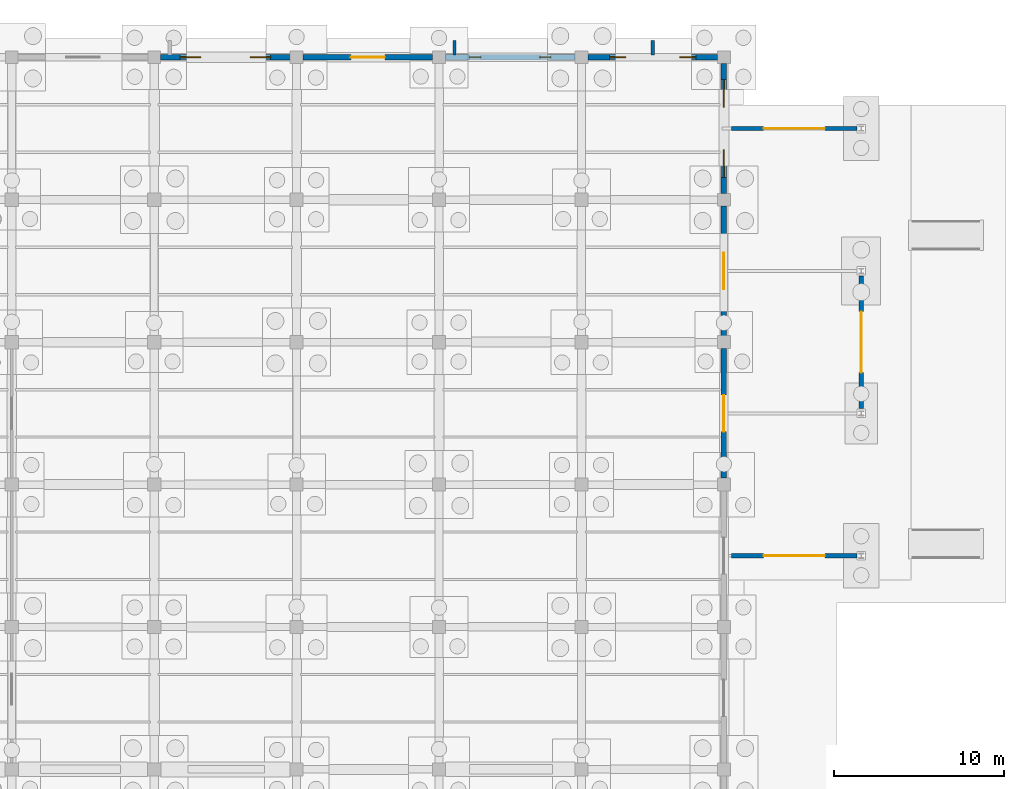
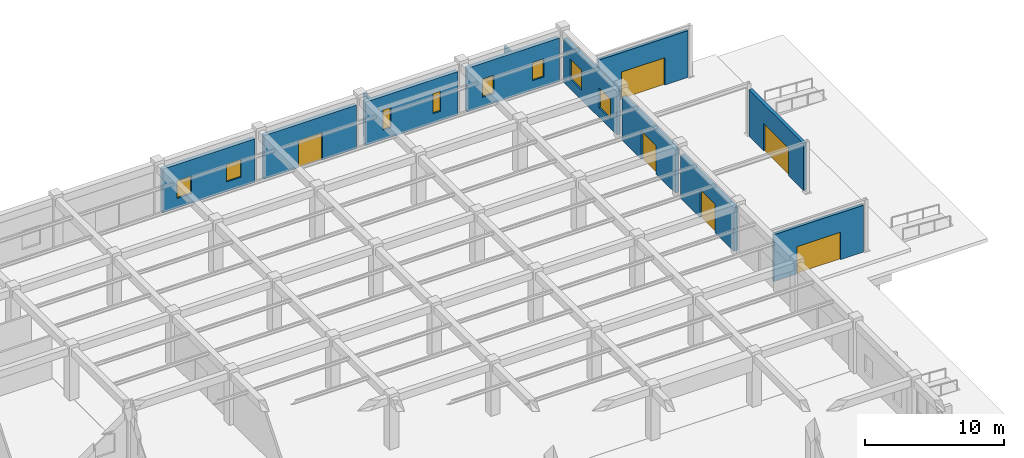
# One storey, part 173 of 192: 12 walls, 8 windows, 6 doors, 14 openings.
"""IFC4 building model written with IfcOpenShell, lengths in metres."""

from ifc_helpers import new_model, si_unit, direction, frame, frame_2d, origin, place, context, subcontext, project, spatial, rectangle, extrude, material, layer, layer_set, type_object, element, fill, save


model = new_model("IFC4")

# Units and contexts
model_context = context("Model", 3, precision=1e-05, world=origin(), true_north=direction((0.0, 1.0)))
body_context = subcontext(model_context, "Body", "Model", "MODEL_VIEW")
ifc_project = project(units=[si_unit("LENGTHUNIT", "METRE"), si_unit("AREAUNIT", "SQUARE_METRE"), si_unit("VOLUMEUNIT", "CUBIC_METRE"), si_unit("PLANEANGLEUNIT", "RADIAN"), si_unit("MASSUNIT", "GRAM", prefix="KILO")], contexts=[model_context])

# Site, building, storey
site_placement = place(None, origin())
site = spatial("IfcSite", under=ifc_project, at=site_placement, CompositionType="ELEMENT")
building_placement = place(site_placement, origin())
building = spatial("IfcBuilding", under=site, at=building_placement, Name="Trelvath General Hospital", CompositionType="ELEMENT")
storey_placement = place(building_placement, origin())
storey = spatial("IfcBuildingStorey", under=building, at=storey_placement, Name="L00", CompositionType="ELEMENT", Elevation=0.0)

# Wall, opening, door
ifc_material_1 = material(Name="Concrete C35/45", Category="concrete")
ifc_layer_1 = layer(ifc_material_1, 0.260009765625)
ifc_layer_set_1 = layer_set([ifc_layer_1], Name="Concrete C35/45")
wall_type_1 = type_object("IfcWallType", Name="BoundaryYardWall 260", PredefinedType="SOLIDWALL", material=ifc_layer_set_1)
wall_1_placement = place(storey_placement, frame((185.25, 88.199951171875, 0.0), z_axis=(0.0, 0.0, 1.0), x_axis=(1.0, 0.0, 0.0)))
wall_1 = element("IfcWall", 1, at=wall_1_placement, inside=storey, type_object=wall_type_1, Name="Ambulance Canopy Portal Wall 1", PredefinedType="SOLIDWALL", context=body_context, shape_type="SweptSolid", body=[
    extrude(rectangle(XDim=7.39990234375, YDim=0.260009765625, at=frame_2d((3.699951171875, 0.0))), origin(), (0.0, 0.0, 1.0), 4.10009765625),
])
opening_1_placement = place(wall_1_placement, frame((1.89990234375, 0.0, 0.0)))
opening_1 = element("IfcOpeningElement", 2, at=opening_1_placement, cuts=wall_1, Name="Opening GT-101", PredefinedType="OPENING", context=body_context, shape_type="SweptSolid", body=[
    extrude(rectangle(XDim=3.60009765625, YDim=2.39990234375, at=frame_2d((1.800048828125, 1.199951171875))), frame((0.0, 0.139892578125, 0.0), z_axis=(0.0, -1.0, 0.0), x_axis=(1.0, 0.0, 0.0)), (0.0, 0.0, 1.0), 0.280029296875),
])
ifc_material_2 = material(Name="Architectural painted steel security gate", Category="steel")
door_type_1 = type_object("IfcDoorType", Name="Gate AmbulanceYard 3600x2400", OperationType="DOUBLE_SWING_LEFT", PredefinedType="GATE", material=ifc_material_2)
door_1_placement = place(opening_1_placement, origin())
door_1 = element("IfcDoor", 3, at=door_1_placement, inside=storey, type_object=door_type_1, Name="Ambulance Bay Security Gate GT-101", OperationType="DOUBLE_SWING_LEFT", OverallHeight=2.39990234375, OverallWidth=3.60009765625, PredefinedType="GATE", context=body_context, shape_type="SweptSolid", body=[
    extrude(rectangle(XDim=3.60009765625, YDim=2.39990234375, at=frame_2d((1.800048828125, 1.199951171875))), frame((0.0, 0.02490234375, 0.0), z_axis=(0.0, -1.0, 0.0), x_axis=(1.0, 0.0, 0.0)), (0.0, 0.0, 1.0), 0.050048828125),
])
fill(opening_1, door_1)

wall_2_placement = place(storey_placement, frame((185.25, 113.39990234375, 0.0), z_axis=(0.0, 0.0, 1.0), x_axis=(1.0, 0.0, 0.0)))
wall_2 = element("IfcWall", 4, at=wall_2_placement, inside=storey, type_object=wall_type_1, Name="Ambulance Canopy Portal Wall 2", PredefinedType="SOLIDWALL", context=body_context, shape_type="SweptSolid", body=[
    extrude(rectangle(XDim=7.39990234375, YDim=0.260009765625, at=frame_2d((3.699951171875, 0.0))), origin(), (0.0, 0.0, 1.0), 4.10009765625),
])
opening_2_placement = place(wall_2_placement, frame((1.89990234375, 0.0, 0.0)))
opening_2 = element("IfcOpeningElement", 5, at=opening_2_placement, cuts=wall_2, Name="Opening GT-102", PredefinedType="OPENING", context=body_context, shape_type="SweptSolid", body=[
    extrude(rectangle(XDim=3.60009765625, YDim=2.39990234375, at=frame_2d((1.800048828125, 1.199951171875))), frame((0.0, 0.139892578125, 0.0), z_axis=(0.0, -1.0, 0.0), x_axis=(1.0, 0.0, 0.0)), (0.0, 0.0, 1.0), 0.280029296875),
])
door_2_placement = place(opening_2_placement, origin())
door_2 = element("IfcDoor", 6, at=door_2_placement, inside=storey, type_object=door_type_1, Name="Ambulance Bay Security Gate GT-102", OperationType="DOUBLE_SWING_LEFT", OverallHeight=2.39990234375, OverallWidth=3.60009765625, PredefinedType="GATE", context=body_context, shape_type="SweptSolid", body=[
    extrude(rectangle(XDim=3.60009765625, YDim=2.39990234375, at=frame_2d((1.800048828125, 1.199951171875))), frame((0.0, 0.02490234375, 0.0), z_axis=(0.0, -1.0, 0.0), x_axis=(1.0, 0.0, 0.0)), (0.0, 0.0, 1.0), 0.050048828125),
])
fill(opening_2, door_2)

wall_3_placement = place(storey_placement, frame((192.89990234375, 96.89990234375, 0.0), z_axis=(0.0, 0.0, 1.0), x_axis=(0.0, 1.0, 0.0)))
wall_3 = element("IfcWall", 7, at=wall_3_placement, inside=storey, type_object=wall_type_1, Name="Ambulance Canopy Portal Wall 3", PredefinedType="SOLIDWALL", context=body_context, shape_type="SweptSolid", body=[
    extrude(rectangle(XDim=7.800048828125, YDim=0.260009765625, at=frame_2d((3.89990234375, 0.0))), origin(), (0.0, 0.0, 1.0), 4.10009765625),
])
opening_3_placement = place(wall_3_placement, frame((2.10009765625, 0.0, 0.0)))
opening_3 = element("IfcOpeningElement", 8, at=opening_3_placement, cuts=wall_3, Name="Opening GT-103", PredefinedType="OPENING", context=body_context, shape_type="SweptSolid", body=[
    extrude(rectangle(XDim=3.60009765625, YDim=2.39990234375, at=frame_2d((1.800048828125, 1.199951171875))), frame((0.0, 0.139892578125, 0.0), z_axis=(0.0, -1.0, 0.0), x_axis=(1.0, 0.0, 0.0)), (0.0, 0.0, 1.0), 0.280029296875),
])
door_3_placement = place(opening_3_placement, origin())
door_3 = element("IfcDoor", 9, at=door_3_placement, inside=storey, type_object=door_type_1, Name="Ambulance Bay Security Gate GT-103", OperationType="DOUBLE_SWING_LEFT", OverallHeight=2.39990234375, OverallWidth=3.60009765625, PredefinedType="GATE", context=body_context, shape_type="SweptSolid", body=[
    extrude(rectangle(XDim=3.60009765625, YDim=2.39990234375, at=frame_2d((1.800048828125, 1.199951171875))), frame((0.0, 0.02490234375, 0.0), z_axis=(0.0, -1.0, 0.0), x_axis=(1.0, 0.0, 0.0)), (0.0, 0.0, 1.0), 0.050048828125),
])
fill(opening_3, door_3)

# Walls
ifc_material_3 = material(Name="Precast concrete C40/50", Category="concrete")
ifc_layer_2 = layer(ifc_material_3, 0.199951171875)
ifc_layer_set_2 = layer_set([ifc_layer_2], Name="Precast concrete C40/50")
wall_type_2 = type_object("IfcWallType", Name="BriseSoleilRib 200", PredefinedType="ELEMENTEDWALL", material=ifc_layer_set_2)
for number, where, z_axis, x_axis, name in (
    (10, (168.910400390625, 117.75, 0.0), (0.0, 0.0, 1.0), (0.0, 1.0, 0.0), "Precast Concrete Brise-Soleil Rib Fin L00-61"),
    (11, (180.60009765625, 117.75, 0.0), (0.0, 0.0, 1.0), (0.0, 1.0, 0.0), "Precast Concrete Brise-Soleil Rib Fin L00-70"),
):
    element("IfcWall", number, at=place(storey_placement, frame(where, z_axis=z_axis, x_axis=x_axis)), inside=storey, type_object=wall_type_2, Name=name, PredefinedType="ELEMENTEDWALL", context=body_context, shape_type="SweptSolid", body=[
        extrude(rectangle(XDim=0.85009765625, YDim=0.199951171875, at=frame_2d((0.425048828125, 0.0))), origin(), (0.0, 0.0, 1.0), 3.800048828125),
    ])

# Wall, openings, windows
ifc_material_4 = material(Name="Concrete C35/45", Category="concrete")
ifc_layer_3 = layer(ifc_material_4, 0.320068359375)
ifc_layer_set_3 = layer_set([ifc_layer_3], Name="Concrete C35/45")
wall_type_3 = type_object("IfcWallType", Name="ExtThermalWall 320", PredefinedType="SOLIDWALL", material=ifc_layer_set_3)
wall_4_placement = place(storey_placement, frame((151.574951171875, 117.60009765625, 0.0), z_axis=(0.0, 0.0, 1.0), x_axis=(1.0, 0.0, 0.0)))
wall_4 = element("IfcWall", 12, at=wall_4_placement, inside=storey, type_object=wall_type_3, Name="Exterior Concrete Wall L00-94", PredefinedType="SOLIDWALL", context=body_context, shape_type="SweptSolid", body=[
    extrude(rectangle(XDim=7.650146484375, YDim=0.320068359375, at=frame_2d((3.8251953125, 0.0))), origin(), (0.0, 0.0, 1.0), 3.820068359375),
])
opening_4_placement = place(wall_4_placement, frame((1.159423828125, 0.0, 0.85009765625)))
opening_4 = element("IfcOpeningElement", 13, at=opening_4_placement, cuts=wall_4, Name="Opening WN-0-133", PredefinedType="OPENING", context=body_context, shape_type="SweptSolid", body=[
    extrude(rectangle(XDim=1.199951171875, YDim=1.550048828125, at=frame_2d((0.60009765625, 0.77490234375))), frame((0.0, 0.169921875, 0.0), z_axis=(0.0, -1.0, 0.0), x_axis=(1.0, 0.0, 0.0)), (0.0, 0.0, 1.0), 0.340087890625),
])
opening_5_placement = place(wall_4_placement, frame((5.29052734375, 0.0, 0.85009765625)))
opening_5 = element("IfcOpeningElement", 14, at=opening_5_placement, cuts=wall_4, Name="Opening WN-0-134", PredefinedType="OPENING", context=body_context, shape_type="SweptSolid", body=[
    extrude(rectangle(XDim=1.199951171875, YDim=1.550048828125, at=frame_2d((0.60009765625, 0.77490234375))), frame((0.0, 0.169921875, 0.0), z_axis=(0.0, -1.0, 0.0), x_axis=(1.0, 0.0, 0.0)), (0.0, 0.0, 1.0), 0.340087890625),
])
ifc_material_5 = material(Name="Low-E laminated glass", Category="glass")
window_type_1 = type_object("IfcWindowType", Name="Window WardSouth 1200x1550", PartitioningType="SINGLE_PANEL", PredefinedType="WINDOW", material=ifc_material_5)
window_1_placement = place(opening_4_placement, origin())
window_1 = element("IfcWindow", 15, at=window_1_placement, inside=storey, type_object=window_type_1, Name="Solar Reveal Window L00-133", OverallHeight=1.550048828125, OverallWidth=1.199951171875, PartitioningType="SINGLE_PANEL", PredefinedType="WINDOW", context=body_context, shape_type="SweptSolid", body=[
    extrude(rectangle(XDim=1.199951171875, YDim=1.550048828125, at=frame_2d((0.60009765625, 0.77490234375))), frame((0.0, 0.030029296875, 0.0), z_axis=(0.0, -1.0, 0.0), x_axis=(1.0, 0.0, 0.0)), (0.0, 0.0, 1.0), 0.06005859375),
])
fill(opening_4, window_1)
window_2_placement = place(opening_5_placement, origin())
window_2 = element("IfcWindow", 16, at=window_2_placement, inside=storey, type_object=window_type_1, Name="Solar Reveal Window L00-134", OverallHeight=1.550048828125, OverallWidth=1.199951171875, PartitioningType="SINGLE_PANEL", PredefinedType="WINDOW", context=body_context, shape_type="SweptSolid", body=[
    extrude(rectangle(XDim=1.199951171875, YDim=1.550048828125, at=frame_2d((0.60009765625, 0.77490234375))), frame((0.0, 0.030029296875, 0.0), z_axis=(0.0, -1.0, 0.0), x_axis=(1.0, 0.0, 0.0)), (0.0, 0.0, 1.0), 0.06005859375),
])
fill(opening_5, window_2)

# Wall, opening, door
wall_5_placement = place(storey_placement, frame((159.97509765625, 117.60009765625, 0.0), z_axis=(0.0, 0.0, 1.0), x_axis=(1.0, 0.0, 0.0)))
wall_5 = element("IfcWall", 17, at=wall_5_placement, inside=storey, type_object=wall_type_3, Name="Exterior Concrete Wall L00-96", PredefinedType="SOLIDWALL", context=body_context, shape_type="SweptSolid", body=[
    extrude(rectangle(XDim=7.64990234375, YDim=0.320068359375, at=frame_2d((3.824951171875, 0.0))), origin(), (0.0, 0.0, 1.0), 3.820068359375),
])
opening_6_placement = place(wall_5_placement, frame((2.824951171875, 0.0, 0.0)))
opening_6 = element("IfcOpeningElement", 18, at=opening_6_placement, cuts=wall_5, Name="Opening E16", PredefinedType="OPENING", context=body_context, shape_type="SweptSolid", body=[
    extrude(rectangle(XDim=2.0, YDim=2.39990234375, at=frame_2d((1.0, 1.199951171875))), frame((0.0, 0.169921875, 0.0), z_axis=(0.0, -1.0, 0.0), x_axis=(1.0, 0.0, 0.0)), (0.0, 0.0, 1.0), 0.340087890625),
])
ifc_material_6 = material(Name="Thermally broken glazed exit pair")
door_type_2 = type_object("IfcDoorType", Name="Door GradeExit 2000x2400", OperationType="DOUBLE_SWING_LEFT", PredefinedType="DOOR", material=ifc_material_6)
door_4_placement = place(opening_6_placement, origin())
door_4 = element("IfcDoor", 19, at=door_4_placement, inside=storey, type_object=door_type_2, Name="Pedestrian Final Exit Door E16", OperationType="DOUBLE_SWING_LEFT", OverallHeight=2.39990234375, OverallWidth=2.0, PredefinedType="DOOR", context=body_context, shape_type="SweptSolid", body=[
    extrude(rectangle(XDim=2.0, YDim=2.39990234375, at=frame_2d((1.0, 1.199951171875))), frame((0.0, 0.02490234375, 0.0), z_axis=(0.0, -1.0, 0.0), x_axis=(1.0, 0.0, 0.0)), (0.0, 0.0, 1.0), 0.050048828125),
])
fill(opening_6, door_4)

# Wall, openings, windows
wall_6_placement = place(storey_placement, frame((168.375, 117.60009765625, 0.0), z_axis=(0.0, 0.0, 1.0), x_axis=(1.0, 0.0, 0.0)))
wall_6 = element("IfcWall", 20, at=wall_6_placement, inside=storey, type_object=wall_type_3, Name="Exterior Concrete Wall L00-98", PredefinedType="SOLIDWALL", context=body_context, shape_type="SweptSolid", body=[
    extrude(rectangle(XDim=7.64990234375, YDim=0.320068359375, at=frame_2d((3.824951171875, 0.0))), origin(), (0.0, 0.0, 1.0), 3.820068359375),
])
opening_7_placement = place(wall_6_placement, frame((1.4345703125, 0.0, 0.85009765625)))
opening_7 = element("IfcOpeningElement", 21, at=opening_7_placement, cuts=wall_6, Name="Opening WN-0-137", PredefinedType="OPENING", context=body_context, shape_type="SweptSolid", body=[
    extrude(rectangle(XDim=0.64990234375, YDim=1.75, at=frame_2d((0.324951171875, 0.875))), frame((0.0, 0.169921875, 0.0), z_axis=(0.0, -1.0, 0.0), x_axis=(1.0, 0.0, 0.0)), (0.0, 0.0, 1.0), 0.340087890625),
])
opening_8_placement = place(wall_6_placement, frame((5.5654296875, 0.0, 0.85009765625)))
opening_8 = element("IfcOpeningElement", 22, at=opening_8_placement, cuts=wall_6, Name="Opening WN-0-138", PredefinedType="OPENING", context=body_context, shape_type="SweptSolid", body=[
    extrude(rectangle(XDim=0.64990234375, YDim=1.75, at=frame_2d((0.324951171875, 0.875))), frame((0.0, 0.169921875, 0.0), z_axis=(0.0, -1.0, 0.0), x_axis=(1.0, 0.0, 0.0)), (0.0, 0.0, 1.0), 0.340087890625),
])
ifc_material_7 = material(Name="Low-E laminated glass", Category="glass")
window_type_2 = type_object("IfcWindowType", Name="Window SunSlot 650x1750", PartitioningType="SINGLE_PANEL", PredefinedType="WINDOW", material=ifc_material_7)
window_3_placement = place(opening_7_placement, origin())
window_3 = element("IfcWindow", 23, at=window_3_placement, inside=storey, type_object=window_type_2, Name="Solar Reveal Window L00-137", OverallHeight=1.75, OverallWidth=0.64990234375, PartitioningType="SINGLE_PANEL", PredefinedType="WINDOW", context=body_context, shape_type="SweptSolid", body=[
    extrude(rectangle(XDim=0.64990234375, YDim=1.75, at=frame_2d((0.324951171875, 0.875))), frame((0.0, 0.030029296875, 0.0), z_axis=(0.0, -1.0, 0.0), x_axis=(1.0, 0.0, 0.0)), (0.0, 0.0, 1.0), 0.06005859375),
])
fill(opening_7, window_3)
window_4_placement = place(opening_8_placement, origin())
window_4 = element("IfcWindow", 24, at=window_4_placement, inside=storey, type_object=window_type_2, Name="Solar Reveal Window L00-138", OverallHeight=1.75, OverallWidth=0.64990234375, PartitioningType="SINGLE_PANEL", PredefinedType="WINDOW", context=body_context, shape_type="SweptSolid", body=[
    extrude(rectangle(XDim=0.64990234375, YDim=1.75, at=frame_2d((0.324951171875, 0.875))), frame((0.0, 0.030029296875, 0.0), z_axis=(0.0, -1.0, 0.0), x_axis=(1.0, 0.0, 0.0)), (0.0, 0.0, 1.0), 0.06005859375),
])
fill(opening_8, window_4)

# Wall, opening, door
wall_7_placement = place(storey_placement, frame((184.800048828125, 100.425048828125, 0.0), z_axis=(0.0, 0.0, 1.0), x_axis=(0.0, -1.0, 0.0)))
wall_7 = element("IfcWall", 25, at=wall_7_placement, inside=storey, type_object=wall_type_3, Name="Exterior Concrete Wall L00-104", PredefinedType="SOLIDWALL", context=body_context, shape_type="SweptSolid", body=[
    extrude(rectangle(XDim=7.650146484375, YDim=0.320068359375, at=frame_2d((3.8251953125, 0.0))), origin(), (0.0, 0.0, 1.0), 3.820068359375),
])
opening_9_placement = place(wall_7_placement, frame((2.75, 0.0, 0.0)))
opening_9 = element("IfcOpeningElement", 26, at=opening_9_placement, cuts=wall_7, Name="Opening VD-A03", PredefinedType="OPENING", context=body_context, shape_type="SweptSolid", body=[
    extrude(rectangle(XDim=2.14990234375, YDim=2.5, at=frame_2d((1.074951171875, 1.25))), frame((0.0, 0.169921875, 0.0), z_axis=(0.0, -1.0, 0.0), x_axis=(1.0, 0.0, 0.0)), (0.0, 0.0, 1.0), 0.340087890625),
])
ifc_material_8 = material(Name="Automatic glazed trauma bay sliding door")
door_type_3 = type_object("IfcDoorType", Name="Door VehicleService 2150x2500", OperationType="SLIDING_TO_LEFT", PredefinedType="DOOR", material=ifc_material_8)
door_5_placement = place(opening_9_placement, origin())
door_5 = element("IfcDoor", 27, at=door_5_placement, inside=storey, type_object=door_type_3, Name="Vehicle Ambulance Trauma Bay Door 3", OperationType="SLIDING_TO_LEFT", OverallHeight=2.5, OverallWidth=2.14990234375, PredefinedType="DOOR", context=body_context, shape_type="SweptSolid", body=[
    extrude(rectangle(XDim=2.14990234375, YDim=2.5, at=frame_2d((1.074951171875, 1.25))), frame((0.0, 0.02490234375, 0.0), z_axis=(0.0, -1.0, 0.0), x_axis=(1.0, 0.0, 0.0)), (0.0, 0.0, 1.0), 0.050048828125),
])
fill(opening_9, door_5)

wall_8_placement = place(storey_placement, frame((184.800048828125, 108.824951171875, 0.0), z_axis=(0.0, 0.0, 1.0), x_axis=(0.0, -1.0, 0.0)))
wall_8 = element("IfcWall", 28, at=wall_8_placement, inside=storey, type_object=wall_type_3, Name="Exterior Concrete Wall L00-105", PredefinedType="SOLIDWALL", context=body_context, shape_type="SweptSolid", body=[
    extrude(rectangle(XDim=7.64990234375, YDim=0.320068359375, at=frame_2d((3.824951171875, 0.0))), origin(), (0.0, 0.0, 1.0), 3.820068359375),
])
opening_10_placement = place(wall_8_placement, frame((2.75, 0.0, 0.0)))
opening_10 = element("IfcOpeningElement", 29, at=opening_10_placement, cuts=wall_8, Name="Opening VD-A04", PredefinedType="OPENING", context=body_context, shape_type="SweptSolid", body=[
    extrude(rectangle(XDim=2.14990234375, YDim=2.5, at=frame_2d((1.074951171875, 1.25))), frame((0.0, 0.169921875, 0.0), z_axis=(0.0, -1.0, 0.0), x_axis=(1.0, 0.0, 0.0)), (0.0, 0.0, 1.0), 0.340087890625),
])
door_6_placement = place(opening_10_placement, origin())
door_6 = element("IfcDoor", 30, at=door_6_placement, inside=storey, type_object=door_type_3, Name="Vehicle Ambulance Trauma Bay Door 4", OperationType="SLIDING_TO_LEFT", OverallHeight=2.5, OverallWidth=2.14990234375, PredefinedType="DOOR", context=body_context, shape_type="SweptSolid", body=[
    extrude(rectangle(XDim=2.14990234375, YDim=2.5, at=frame_2d((1.074951171875, 1.25))), frame((0.0, 0.02490234375, 0.0), z_axis=(0.0, -1.0, 0.0), x_axis=(1.0, 0.0, 0.0)), (0.0, 0.0, 1.0), 0.050048828125),
])
fill(opening_10, door_6)

# Wall, openings, windows
wall_9_placement = place(storey_placement, frame((176.77490234375, 117.60009765625, 0.0), z_axis=(0.0, 0.0, 1.0), x_axis=(1.0, 0.0, 0.0)))
wall_9 = element("IfcWall", 31, at=wall_9_placement, inside=storey, type_object=wall_type_3, Name="Exterior Concrete Wall L00-106", PredefinedType="SOLIDWALL", context=body_context, shape_type="SweptSolid", body=[
    extrude(rectangle(XDim=7.650146484375, YDim=0.320068359375, at=frame_2d((3.8251953125, 0.0))), origin(), (0.0, 0.0, 1.0), 3.820068359375),
])
opening_11_placement = place(wall_9_placement, frame((1.284423828125, 0.0, 0.85009765625)))
opening_11 = element("IfcOpeningElement", 32, at=opening_11_placement, cuts=wall_9, Name="Opening WN-0-145", PredefinedType="OPENING", context=body_context, shape_type="SweptSolid", body=[
    extrude(rectangle(XDim=0.949951171875, YDim=1.60009765625, at=frame_2d((0.47509765625, 0.800048828125))), frame((0.0, 0.169921875, 0.0), z_axis=(0.0, -1.0, 0.0), x_axis=(1.0, 0.0, 0.0)), (0.0, 0.0, 1.0), 0.340087890625),
])
opening_12_placement = place(wall_9_placement, frame((5.41552734375, 0.0, 0.85009765625)))
opening_12 = element("IfcOpeningElement", 33, at=opening_12_placement, cuts=wall_9, Name="Opening WN-0-146", PredefinedType="OPENING", context=body_context, shape_type="SweptSolid", body=[
    extrude(rectangle(XDim=0.949951171875, YDim=1.60009765625, at=frame_2d((0.47509765625, 0.800048828125))), frame((0.0, 0.169921875, 0.0), z_axis=(0.0, -1.0, 0.0), x_axis=(1.0, 0.0, 0.0)), (0.0, 0.0, 1.0), 0.340087890625),
])
ifc_material_9 = material(Name="Low-E laminated glass", Category="glass")
window_type_3 = type_object("IfcWindowType", Name="Window DeepReveal 950x1600", PartitioningType="SINGLE_PANEL", PredefinedType="WINDOW", material=ifc_material_9)
window_5_placement = place(opening_11_placement, origin())
window_5 = element("IfcWindow", 34, at=window_5_placement, inside=storey, type_object=window_type_3, Name="Solar Reveal Window L00-145", OverallHeight=1.60009765625, OverallWidth=0.949951171875, PartitioningType="SINGLE_PANEL", PredefinedType="WINDOW", context=body_context, shape_type="SweptSolid", body=[
    extrude(rectangle(XDim=0.949951171875, YDim=1.60009765625, at=frame_2d((0.47509765625, 0.800048828125))), frame((0.0, 0.030029296875, 0.0), z_axis=(0.0, -1.0, 0.0), x_axis=(1.0, 0.0, 0.0)), (0.0, 0.0, 1.0), 0.06005859375),
])
fill(opening_11, window_5)
window_6_placement = place(opening_12_placement, origin())
window_6 = element("IfcWindow", 35, at=window_6_placement, inside=storey, type_object=window_type_3, Name="Solar Reveal Window L00-146", OverallHeight=1.60009765625, OverallWidth=0.949951171875, PartitioningType="SINGLE_PANEL", PredefinedType="WINDOW", context=body_context, shape_type="SweptSolid", body=[
    extrude(rectangle(XDim=0.949951171875, YDim=1.60009765625, at=frame_2d((0.47509765625, 0.800048828125))), frame((0.0, 0.030029296875, 0.0), z_axis=(0.0, -1.0, 0.0), x_axis=(1.0, 0.0, 0.0)), (0.0, 0.0, 1.0), 0.06005859375),
])
fill(opening_12, window_6)

wall_10_placement = place(storey_placement, frame((184.800048828125, 117.22509765625, 0.0), z_axis=(0.0, 0.0, 1.0), x_axis=(0.0, -1.0, 0.0)))
wall_10 = element("IfcWall", 36, at=wall_10_placement, inside=storey, type_object=wall_type_3, Name="Exterior Concrete Wall L00-107", PredefinedType="SOLIDWALL", context=body_context, shape_type="SweptSolid", body=[
    extrude(rectangle(XDim=7.650146484375, YDim=0.320068359375, at=frame_2d((3.8251953125, 0.0))), origin(), (0.0, 0.0, 1.0), 3.820068359375),
])
opening_13_placement = place(wall_10_placement, frame((0.939453125, 0.0, 0.85009765625)))
opening_13 = element("IfcOpeningElement", 37, at=opening_13_placement, cuts=wall_10, Name="Opening WN-0-147", PredefinedType="OPENING", context=body_context, shape_type="SweptSolid", body=[
    extrude(rectangle(XDim=1.639892578125, YDim=1.75, at=frame_2d((0.81982421875, 0.875))), frame((0.0, 0.169921875, 0.0), z_axis=(0.0, -1.0, 0.0), x_axis=(1.0, 0.0, 0.0)), (0.0, 0.0, 1.0), 0.340087890625),
])
opening_14_placement = place(wall_10_placement, frame((5.070556640625, 0.0, 0.85009765625)))
opening_14 = element("IfcOpeningElement", 38, at=opening_14_placement, cuts=wall_10, Name="Opening WN-0-148", PredefinedType="OPENING", context=body_context, shape_type="SweptSolid", body=[
    extrude(rectangle(XDim=1.639892578125, YDim=1.75, at=frame_2d((0.81982421875, 0.875))), frame((0.0, 0.169921875, 0.0), z_axis=(0.0, -1.0, 0.0), x_axis=(1.0, 0.0, 0.0)), (0.0, 0.0, 1.0), 0.340087890625),
])
ifc_material_10 = material(Name="Low-E laminated glass", Category="glass")
window_type_4 = type_object("IfcWindowType", Name="Window ICU 1640x1750", PartitioningType="DOUBLE_PANEL_VERTICAL", PredefinedType="WINDOW", material=ifc_material_10)
window_7_placement = place(opening_13_placement, origin())
window_7 = element("IfcWindow", 39, at=window_7_placement, inside=storey, type_object=window_type_4, Name="Solar Reveal Window L00-147", OverallHeight=1.75, OverallWidth=1.639892578125, PartitioningType="SINGLE_PANEL", PredefinedType="WINDOW", context=body_context, shape_type="SweptSolid", body=[
    extrude(rectangle(XDim=1.639892578125, YDim=1.75, at=frame_2d((0.81982421875, 0.875))), frame((0.0, 0.030029296875, 0.0), z_axis=(0.0, -1.0, 0.0), x_axis=(1.0, 0.0, 0.0)), (0.0, 0.0, 1.0), 0.06005859375),
])
fill(opening_13, window_7)
window_8_placement = place(opening_14_placement, origin())
window_8 = element("IfcWindow", 40, at=window_8_placement, inside=storey, type_object=window_type_4, Name="Solar Reveal Window L00-148", OverallHeight=1.75, OverallWidth=1.639892578125, PartitioningType="SINGLE_PANEL", PredefinedType="WINDOW", context=body_context, shape_type="SweptSolid", body=[
    extrude(rectangle(XDim=1.639892578125, YDim=1.75, at=frame_2d((0.81982421875, 0.875))), frame((0.0, 0.030029296875, 0.0), z_axis=(0.0, -1.0, 0.0), x_axis=(1.0, 0.0, 0.0)), (0.0, 0.0, 1.0), 0.06005859375),
])
fill(opening_14, window_8)

save(model, "model.ifc")
